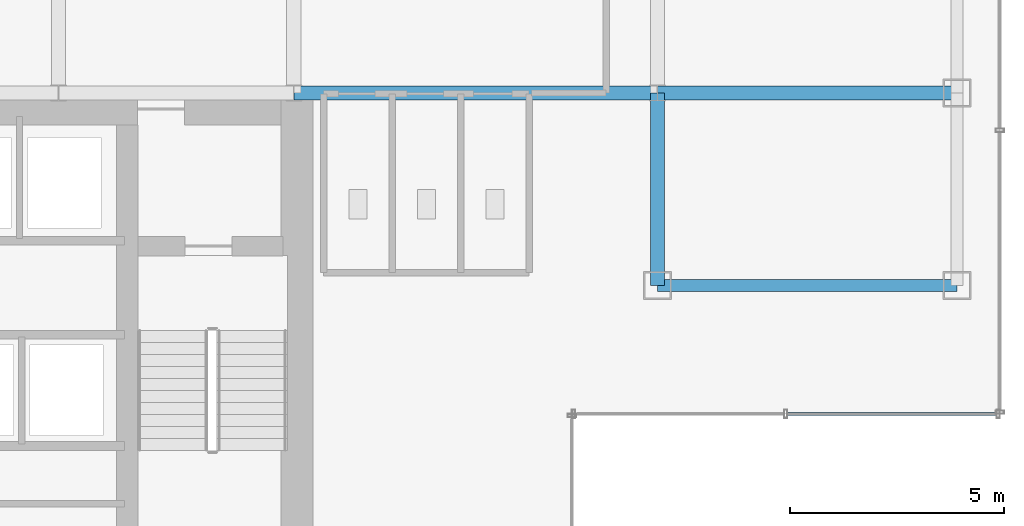
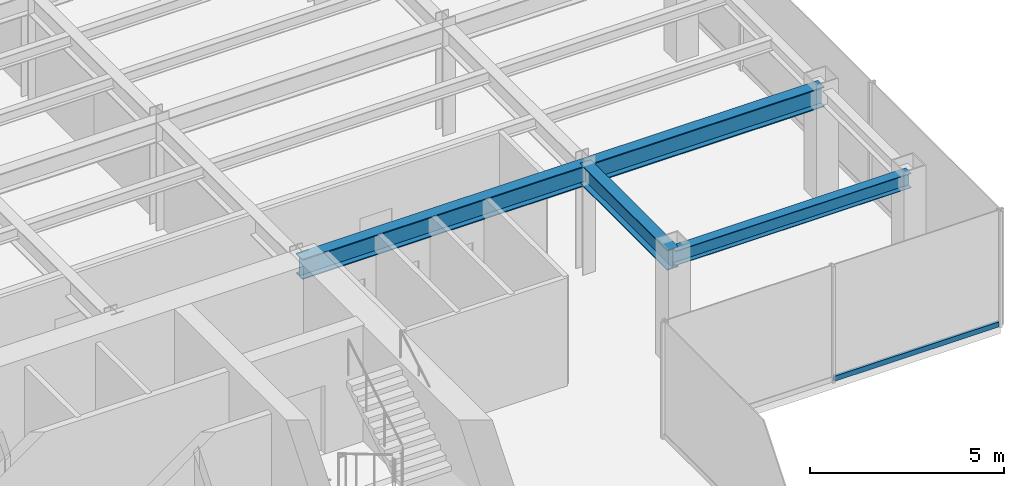
# One storey, part 10 of 25: 4 beams, 1 member, 1 element without a shape of its own.
"""IFC4 building model written with IfcOpenShell, lengths in metres."""

import ifcopenshell
import ifcopenshell.guid

model = None  # the IFC model being written
_history = None  # IfcOwnerHistory: only IFC2X3 demands one
_inside = {}  # id of a spatial element -> (the spatial element, [elements in it])
_under = {}  # id of a project, library or spatial element -> (it, [spatial elements below it])
_declared = {}  # id of a project -> (the project, [libraries it declares])
_typed = {}  # id of a type object -> (the type object, [elements of that type])
_made_of = {}  # id of a material, layer set ... -> (it, [elements and type objects made of it])


def new_model(schema):
    """Start an empty IFC model of exactly this schema.

    Asked for "IFC4X3", IfcOpenShell would pick the latest addendum, in which some entities
    have other attributes; the version numbers below select the first issue.
    IFC2X3 requires an IfcOwnerHistory on every rooted entity: one is made here for all.
    """
    global model, _history
    if schema == "IFC4X3":
        model = ifcopenshell.file(schema_version=(4, 3, 0, 0))
    else:
        model = ifcopenshell.file(schema=schema)
    _inside.clear()
    _under.clear()
    _declared.clear()
    _typed.clear()
    _made_of.clear()
    _history = None
    if model.schema == "IFC2X3":
        org = make("IfcOrganization", Name="unknown")
        user = make(
            "IfcPersonAndOrganization",
            ThePerson=make("IfcPerson", FamilyName="unknown"),
            TheOrganization=org,
        )
        app = make(
            "IfcApplication",
            ApplicationDeveloper=org,
            Version="unknown",
            ApplicationFullName="unknown",
            ApplicationIdentifier="unknown",
        )
        _history = make(
            "IfcOwnerHistory",
            OwningUser=user,
            OwningApplication=app,
            ChangeAction="ADDED",
            CreationDate=0,
        )
    return model


def make(cls, **values):
    """One entity of the class cls with the attributes given. An attribute that is None is left unset."""
    return model.create_entity(
        cls, **{name: value for name, value in values.items() if value is not None}
    )


def rooted(cls, **values):
    """An entity with a GlobalId (a new one), such as an element, a storey or a relation."""
    return make(cls, GlobalId=ifcopenshell.guid.new(), OwnerHistory=_history, **values)


def si_unit(unit_type, name, prefix=None):
    """IfcSIUnit, for example si_unit("LENGTHUNIT", "METRE", prefix="MILLI")."""
    return make("IfcSIUnit", UnitType=unit_type, Prefix=prefix, Name=name)


def derived_unit(unit_type, elements):
    """IfcDerivedUnit: a product of units, each with its exponent."""
    return make(
        "IfcDerivedUnit",
        Elements=[
            make("IfcDerivedUnitElement", Unit=unit, Exponent=power)
            for unit, power in elements
        ],
        UnitType=unit_type,
    )


def assignment(units):
    """IfcUnitAssignment: the units of a project."""
    return None if units is None else make("IfcUnitAssignment", Units=units)


def point(xyz):
    """IfcCartesianPoint."""
    return None if xyz is None else make("IfcCartesianPoint", Coordinates=xyz)


def direction(xyz):
    """IfcDirection."""
    return None if xyz is None else make("IfcDirection", DirectionRatios=xyz)


def frame(location, z_axis=None, x_axis=None):
    """IfcAxis2Placement3D, a coordinate frame: its origin and axes. An axis left out is left unset."""
    return make(
        "IfcAxis2Placement3D",
        Location=point(location),
        Axis=direction(z_axis),
        RefDirection=direction(x_axis),
    )


def frame_2d(location, x_axis=None):
    """IfcAxis2Placement2D, a coordinate frame in the plane: its origin and x axis."""
    return make(
        "IfcAxis2Placement2D", Location=point(location), RefDirection=direction(x_axis)
    )


def origin():
    """The frame at (0, 0, 0) with its axes left unset."""
    return frame((0.0, 0.0, 0.0))


def origin_2d():
    """The frame at (0, 0) in the plane with its x axis left unset."""
    return frame_2d((0.0, 0.0))


def place(relative_to, where):
    """IfcLocalPlacement: puts the frame where relative to a parent placement (None: the world)."""
    return make(
        "IfcLocalPlacement", PlacementRelTo=relative_to, RelativePlacement=where
    )


def context(
    kind, dimensions, precision=None, world=None, true_north=None, identifier=None
):
    """IfcGeometricRepresentationContext, for example the 3D "Model" context."""
    return make(
        "IfcGeometricRepresentationContext",
        ContextIdentifier=identifier,
        ContextType=kind,
        CoordinateSpaceDimension=dimensions,
        Precision=precision,
        WorldCoordinateSystem=world,
        TrueNorth=true_north,
    )


def subcontext(parent, identifier, kind, view, scale=None):
    """IfcGeometricRepresentationSubContext, for example "Body" below "Model"."""
    return make(
        "IfcGeometricRepresentationSubContext",
        ContextIdentifier=identifier,
        ContextType=kind,
        ParentContext=parent,
        TargetScale=scale,
        TargetView=view,
    )


def project(units=None, contexts=None):
    """IfcProject with its units and contexts."""
    return rooted(
        "IfcProject",
        Name="project",
        RepresentationContexts=contexts,
        UnitsInContext=assignment(units),
    )


def spatial(cls, under=None, at=None, **own):
    """A site, building, storey or space (cls), placed at a placement, below another one or the project."""
    s = rooted(cls, ObjectPlacement=at, **own)
    if under is not None:
        _under.setdefault(under.id(), (under, []))[1].append(s)
    return s


def profile(cls, at=None, kind="AREA", **sizes):
    """A parametric profile (cls). Its sizes go by their IFC names, for example OverallWidth=200.0."""
    return make(cls, ProfileType=kind, Position=at, **sizes)


def hollow_rectangle(**sizes):
    """IfcRectangleHollowProfileDef."""
    return profile("IfcRectangleHollowProfileDef", **sizes)


def i_section(**sizes):
    """IfcIShapeProfileDef."""
    return profile("IfcIShapeProfileDef", **sizes)


def extrude(swept, where, along, depth):
    """IfcExtrudedAreaSolid: the profile swept, set in the frame where, extruded along a direction by depth."""
    return make(
        "IfcExtrudedAreaSolid",
        SweptArea=swept,
        Position=where,
        ExtrudedDirection=direction(along),
        Depth=depth,
    )


def shape(context_of_items, identifier, shape_type, items):
    """IfcShapeRepresentation: the items that make up one representation, for example the "Body"."""
    return make(
        "IfcShapeRepresentation",
        ContextOfItems=context_of_items,
        RepresentationIdentifier=identifier,
        RepresentationType=shape_type,
        Items=items,
    )


def source(mapping_origin, context_of_items, identifier, shape_type, items):
    """IfcRepresentationMap: a shape defined once, which mapped items show again and again."""
    return make(
        "IfcRepresentationMap",
        MappingOrigin=mapping_origin,
        MappedRepresentation=shape(context_of_items, identifier, shape_type, items),
    )


def transform(
    local_origin,
    x_axis=None,
    y_axis=None,
    z_axis=None,
    scale=None,
    scale2=None,
    scale3=None,
    uniform=True,
):
    """IfcCartesianTransformationOperator3D, or its non-uniform kind. x_axis, y_axis, z_axis: its Axis1, 2, 3."""
    if uniform:
        return make(
            "IfcCartesianTransformationOperator3D",
            Axis1=direction(x_axis),
            Axis2=direction(y_axis),
            LocalOrigin=point(local_origin),
            Scale=scale,
            Axis3=direction(z_axis),
        )
    return make(
        "IfcCartesianTransformationOperator3DnonUniform",
        Axis1=direction(x_axis),
        Axis2=direction(y_axis),
        LocalOrigin=point(local_origin),
        Scale=scale,
        Axis3=direction(z_axis),
        Scale2=scale2,
        Scale3=scale3,
    )


def mapped(mapping_source, mapping_target):
    """IfcMappedItem: shows the shape of a source again, moved by a transform."""
    return make(
        "IfcMappedItem", MappingSource=mapping_source, MappingTarget=mapping_target
    )


def material(Name=None, Category=None):
    """IfcMaterial."""
    return make("IfcMaterial", Name=Name, Category=Category)


def material_profile(
    of_material, cross_section, Name=None, Category=None, Priority=None
):
    """IfcMaterialProfile: a cross section and its material."""
    return make(
        "IfcMaterialProfile",
        Name=Name,
        Material=of_material,
        Profile=cross_section,
        Priority=Priority,
        Category=Category,
    )


def profile_set(profiles, Name=None, composite=None):
    """IfcMaterialProfileSet."""
    return make(
        "IfcMaterialProfileSet",
        Name=Name,
        MaterialProfiles=profiles,
        CompositeProfile=composite,
    )


def made_of(thing, what):
    """Note that an element or type object is made of a material, layer set ...; save() writes the relation."""
    if what is not None:
        _made_of.setdefault(what.id(), (what, []))[1].append(thing)
    return thing


def type_object(cls, material=None, **own):
    """A type object (cls), such as IfcWallType, which elements share."""
    return made_of(rooted(cls, **own), material)


def element(
    cls,
    number,
    at=None,
    inside=None,
    cuts=None,
    type_object=None,
    material=None,
    context=None,
    identifier="Body",
    shape_type=None,
    held_by="IfcProductDefinitionShape",
    body=None,
    shapes=None,
    **own,
):
    """One element of the class cls, such as IfcWall. Its Tag is "e" and its number.

    at: its placement. inside: the storey or other place that contains it. cuts: it is an
    opening in that element (IfcRelVoidsElement). A single representation is given by context,
    identifier, shape_type and body (its items); several are given by shapes. held_by: the class
    of the entity that holds the representations. save() writes the other relations.
    """
    e = rooted(cls, Tag="e%d" % number, ObjectPlacement=at, **own)
    if body is not None:
        shapes = [shape(context, identifier, shape_type, body)]
    if shapes is not None:
        e.Representation = make(held_by, Representations=shapes)
    if inside is not None:
        _inside.setdefault(inside.id(), (inside, []))[1].append(e)
    if cuts is not None:
        rooted(
            "IfcRelVoidsElement", RelatingBuildingElement=cuts, RelatedOpeningElement=e
        )
    if type_object is not None:
        _typed.setdefault(type_object.id(), (type_object, []))[1].append(e)
    return made_of(e, material)


def aggregate(whole, parts):
    """IfcRelAggregates: a whole, such as a stair, and the parts it consists of."""
    return rooted("IfcRelAggregates", RelatingObject=whole, RelatedObjects=parts)


def save(model, path):
    """Write the relations noted so far, then the file.

    IfcRelAggregates (storeys below a building ...), IfcRelContainedInSpatialStructure (elements
    in a storey), IfcRelDefinesByType, IfcRelAssociatesMaterial and IfcRelDeclares: one each for
    every whole, place, type object, material and project.
    """
    for whole, parts in _under.values():
        aggregate(whole, parts)
    for where, things in _inside.values():
        rooted(
            "IfcRelContainedInSpatialStructure",
            RelatedElements=things,
            RelatingStructure=where,
        )
    for kind, things in _typed.values():
        rooted("IfcRelDefinesByType", RelatedObjects=things, RelatingType=kind)
    for what, things in _made_of.values():
        rooted("IfcRelAssociatesMaterial", RelatedObjects=things, RelatingMaterial=what)
    for by, libraries in _declared.values():
        rooted("IfcRelDeclares", RelatingContext=by, RelatedDefinitions=libraries)
    model.write(path)


model = new_model("IFC4")

# Units and contexts
model_context = context("Model", 3, precision=1e-05, world=origin(), true_north=direction((0.0, 1.0)))
body_context = subcontext(model_context, "Body", "Model", "MODEL_VIEW")
ifc_project = project(units=[si_unit("LENGTHUNIT", "METRE"), si_unit("AREAUNIT", "SQUARE_METRE"), si_unit("VOLUMEUNIT", "CUBIC_METRE"), si_unit("PLANEANGLEUNIT", "RADIAN"), si_unit("MASSUNIT", "GRAM", prefix="KILO"), derived_unit("THERMALTRANSMITTANCEUNIT", [(si_unit("POWERUNIT", "WATT"), 1), (si_unit("LENGTHUNIT", "METRE"), -2), (si_unit("THERMODYNAMICTEMPERATUREUNIT", "KELVIN"), -1)])], contexts=[model_context])

# Site, building, storey
site_placement = place(None, origin())
site = spatial("IfcSite", under=ifc_project, at=site_placement, CompositionType="ELEMENT")
building_placement = place(site_placement, origin())
building = spatial("IfcBuilding", under=site, at=building_placement, Name="Skarnbrae Concourse Arena and Tower", CompositionType="ELEMENT")
storey_placement = place(building_placement, frame((0.0, 0.0, 169.800048828125)))
storey = spatial("IfcBuildingStorey", under=building, at=storey_placement, Name="L43", CompositionType="ELEMENT", Elevation=169.800048828125)

# Beams
ifc_material_1 = material(Name="Steel CSA G40.21 350W", Category="steel")
ifc_material_profile_1 = material_profile(ifc_material_1, i_section(OverallWidth=0.280029296875, OverallDepth=0.462890625, WebThickness=0.0107421875, FlangeThickness=0.017333984375, at=origin_2d()), Name="W460X113")
ifc_profile_set_1 = profile_set([ifc_material_profile_1], Name="Steel CSA G40.21 350W")
beam_type_1 = type_object("IfcBeamType", Name="BM-SPAN-W460X113", PredefinedType="SPANDREL", material=ifc_profile_set_1)
shared_shape_1 = source(origin(), body_context, "Body", "SweptSolid", [
    extrude(i_section(OverallWidth=0.280029296875, OverallDepth=0.462890625, WebThickness=0.0107421875, FlangeThickness=0.017333984375, at=origin_2d()), origin(), (0.0, 0.0, 1.0), 7.0),
])
beam_1_placement = place(storey_placement, frame((42.0, 9.5, 3.16845703125), z_axis=(1.0, 0.0, 0.0), x_axis=(0.0, 1.0, 0.0)))
element("IfcBeam", 1, at=beam_1_placement, inside=storey, type_object=beam_type_1, Name="L43 Perimeter spandrel Y9.5-2", PredefinedType="SPANDREL", context=body_context, shape_type="MappedRepresentation", body=[
    mapped(shared_shape_1, transform((0.0, 0.0, 0.0))),
])
ifc_material_profile_2 = material_profile(ifc_material_1, i_section(OverallWidth=0.3291015625, OverallDepth=0.635009765625, WebThickness=0.017822265625, FlangeThickness=0.031005859375, at=origin_2d()), Name="W610X241")
ifc_profile_set_2 = profile_set([ifc_material_profile_2], Name="Steel CSA G40.21 350W")
beam_type_2 = type_object("IfcBeamType", Name="BM-GIRD-W610X241", PredefinedType="BEAM", material=ifc_profile_set_2)
shared_shape_2 = source(origin(), body_context, "Body", "SweptSolid", [
    extrude(i_section(OverallWidth=0.3291015625, OverallDepth=0.635009765625, WebThickness=0.017822265625, FlangeThickness=0.031005859375, at=origin_2d()), origin(), (0.0, 0.0, 1.0), 8.5),
])
beam_2_placement = place(storey_placement, frame((33.5, 14.0, 3.08251953125), z_axis=(1.0, 0.0, 0.0), x_axis=(0.0, 1.0, 0.0)))
element("IfcBeam", 2, at=beam_2_placement, inside=storey, type_object=beam_type_2, Name="L43 Primary E-W girder Y14.0-6", PredefinedType="BEAM", context=body_context, shape_type="MappedRepresentation", body=[
    mapped(shared_shape_2, transform((0.0, 0.0, 0.0))),
])
shared_shape_3 = source(origin(), body_context, "Body", "SweptSolid", [
    extrude(i_section(OverallWidth=0.3291015625, OverallDepth=0.635009765625, WebThickness=0.017822265625, FlangeThickness=0.031005859375, at=origin_2d()), origin(), (0.0, 0.0, 1.0), 7.0),
])
beam_3_placement = place(storey_placement, frame((42.0, 14.0, 3.08251953125), z_axis=(1.0, 0.0, 0.0), x_axis=(0.0, 1.0, 0.0)))
element("IfcBeam", 3, at=beam_3_placement, inside=storey, type_object=beam_type_2, Name="L43 Primary E-W girder Y14.0-7", PredefinedType="BEAM", context=body_context, shape_type="MappedRepresentation", body=[
    mapped(shared_shape_3, transform((0.0, 0.0, 0.0))),
])
shared_shape_4 = source(origin(), body_context, "Body", "SweptSolid", [
    extrude(i_section(OverallWidth=0.3291015625, OverallDepth=0.635009765625, WebThickness=0.017822265625, FlangeThickness=0.031005859375, at=origin_2d()), origin(), (0.0, 0.0, 1.0), 4.5),
])
beam_4_placement = place(storey_placement, frame((42.0, 9.5, 3.08251953125), z_axis=(0.0, 1.0, 0.0), x_axis=(-1.0, 0.0, 0.0)))
element("IfcBeam", 4, at=beam_4_placement, inside=storey, type_object=beam_type_2, Name="L43 Primary N-S girder X42.0-1", PredefinedType="BEAM", context=body_context, shape_type="MappedRepresentation", body=[
    mapped(shared_shape_4, transform((0.0, 0.0, 0.0))),
])

# Curtain wall, member
ifc_material_2 = material(Name="Bronze anodised aluminium 6063-T6", Category="aluminium")
curtain_wall_type = type_object("IfcCurtainWallType", Name="CW-SYS-04-MIDZONE", PredefinedType="USERDEFINED", material=ifc_material_2)
curtain_wall_placement = place(storey_placement, origin())
curtain_wall = element("IfcCurtainWall", 5, at=curtain_wall_placement, inside=storey, type_object=curtain_wall_type, Name="L43 Unitised curtain wall CW-L43-E03", ObjectType="UNITISED CURTAIN WALL", PredefinedType="USERDEFINED")
ifc_material_profile_3 = material_profile(ifc_material_2, hollow_rectangle(XDim=0.074951171875, YDim=0.159912109375, WallThickness=0.00439453125, at=origin_2d()), Name="ALU-TRAN-75X160")
ifc_profile_set_3 = profile_set([ifc_material_profile_3], Name="Bronze anodised aluminium 6063-T6")
member_type = type_object("IfcMemberType", Name="CWT-CW-04", PredefinedType="USERDEFINED", material=ifc_profile_set_3)
shared_shape_5 = source(origin(), body_context, "Body", "SweptSolid", [
    extrude(hollow_rectangle(XDim=0.074951171875, YDim=0.159912109375, WallThickness=0.00439453125, at=origin_2d()), origin(), (0.0, 0.0, 1.0), 4.887451171875),
])
member_placement = place(storey_placement, frame((45.03759765625, 6.5, 0.079833984375), z_axis=(1.0, 0.0, 0.0), x_axis=(0.0, 1.0, 0.0)))
member = element("IfcMember", 6, at=member_placement, type_object=member_type, Name="CW-L43-E03 Transom 2", ObjectType="TRANSOM", PredefinedType="USERDEFINED", context=body_context, shape_type="MappedRepresentation", body=[
    mapped(shared_shape_5, transform((0.0, 0.0, 0.0))),
])
aggregate(curtain_wall, [member])

save(model, "model.ifc")
